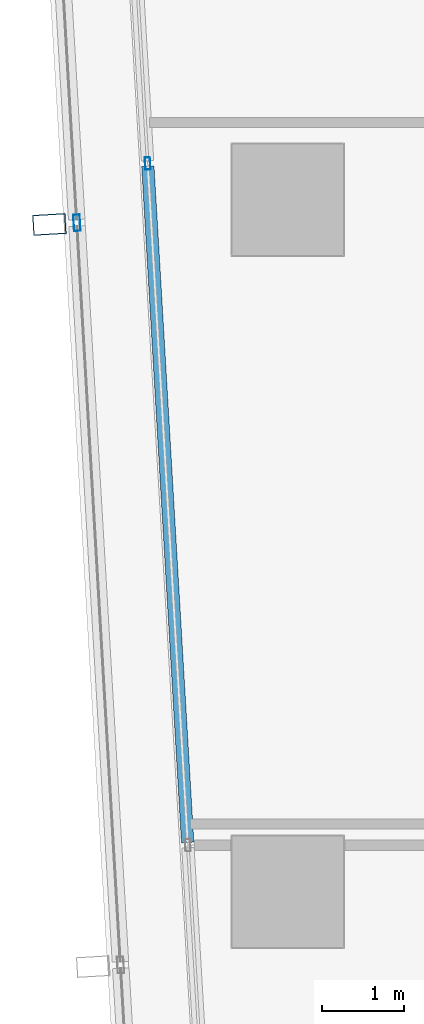
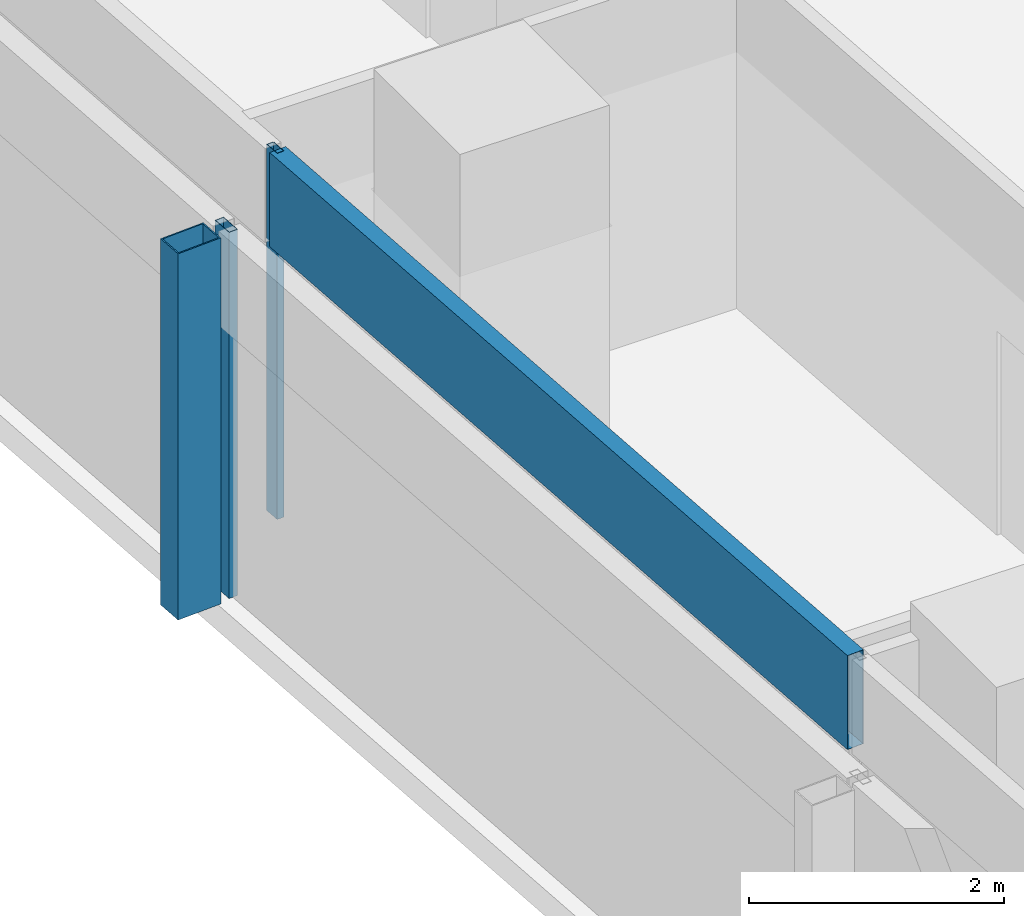
# One storey, part 8 of 39: 4 members, 2 elements without a shape of their own.
"""IFC4 building model written with IfcOpenShell, lengths in metres."""

import ifcopenshell
import ifcopenshell.guid

model = None  # the IFC model being written
_history = None  # IfcOwnerHistory: only IFC2X3 demands one
_inside = {}  # id of a spatial element -> (the spatial element, [elements in it])
_under = {}  # id of a project, library or spatial element -> (it, [spatial elements below it])
_declared = {}  # id of a project -> (the project, [libraries it declares])
_typed = {}  # id of a type object -> (the type object, [elements of that type])
_made_of = {}  # id of a material, layer set ... -> (it, [elements and type objects made of it])


def new_model(schema):
    """Start an empty IFC model of exactly this schema.

    Asked for "IFC4X3", IfcOpenShell would pick the latest addendum, in which some entities
    have other attributes; the version numbers below select the first issue.
    IFC2X3 requires an IfcOwnerHistory on every rooted entity: one is made here for all.
    """
    global model, _history
    if schema == "IFC4X3":
        model = ifcopenshell.file(schema_version=(4, 3, 0, 0))
    else:
        model = ifcopenshell.file(schema=schema)
    _inside.clear()
    _under.clear()
    _declared.clear()
    _typed.clear()
    _made_of.clear()
    _history = None
    if model.schema == "IFC2X3":
        org = make("IfcOrganization", Name="unknown")
        user = make(
            "IfcPersonAndOrganization",
            ThePerson=make("IfcPerson", FamilyName="unknown"),
            TheOrganization=org,
        )
        app = make(
            "IfcApplication",
            ApplicationDeveloper=org,
            Version="unknown",
            ApplicationFullName="unknown",
            ApplicationIdentifier="unknown",
        )
        _history = make(
            "IfcOwnerHistory",
            OwningUser=user,
            OwningApplication=app,
            ChangeAction="ADDED",
            CreationDate=0,
        )
    return model


def make(cls, **values):
    """One entity of the class cls with the attributes given. An attribute that is None is left unset."""
    return model.create_entity(
        cls, **{name: value for name, value in values.items() if value is not None}
    )


def rooted(cls, **values):
    """An entity with a GlobalId (a new one), such as an element, a storey or a relation."""
    return make(cls, GlobalId=ifcopenshell.guid.new(), OwnerHistory=_history, **values)


def si_unit(unit_type, name, prefix=None):
    """IfcSIUnit, for example si_unit("LENGTHUNIT", "METRE", prefix="MILLI")."""
    return make("IfcSIUnit", UnitType=unit_type, Prefix=prefix, Name=name)


def assignment(units):
    """IfcUnitAssignment: the units of a project."""
    return None if units is None else make("IfcUnitAssignment", Units=units)


def point(xyz):
    """IfcCartesianPoint."""
    return None if xyz is None else make("IfcCartesianPoint", Coordinates=xyz)


def direction(xyz):
    """IfcDirection."""
    return None if xyz is None else make("IfcDirection", DirectionRatios=xyz)


def frame(location, z_axis=None, x_axis=None):
    """IfcAxis2Placement3D, a coordinate frame: its origin and axes. An axis left out is left unset."""
    return make(
        "IfcAxis2Placement3D",
        Location=point(location),
        Axis=direction(z_axis),
        RefDirection=direction(x_axis),
    )


def frame_2d(location, x_axis=None):
    """IfcAxis2Placement2D, a coordinate frame in the plane: its origin and x axis."""
    return make(
        "IfcAxis2Placement2D", Location=point(location), RefDirection=direction(x_axis)
    )


def origin():
    """The frame at (0, 0, 0) with its axes left unset."""
    return frame((0.0, 0.0, 0.0))


def origin_2d():
    """The frame at (0, 0) in the plane with its x axis left unset."""
    return frame_2d((0.0, 0.0))


def place(relative_to, where):
    """IfcLocalPlacement: puts the frame where relative to a parent placement (None: the world)."""
    return make(
        "IfcLocalPlacement", PlacementRelTo=relative_to, RelativePlacement=where
    )


def context(
    kind, dimensions, precision=None, world=None, true_north=None, identifier=None
):
    """IfcGeometricRepresentationContext, for example the 3D "Model" context."""
    return make(
        "IfcGeometricRepresentationContext",
        ContextIdentifier=identifier,
        ContextType=kind,
        CoordinateSpaceDimension=dimensions,
        Precision=precision,
        WorldCoordinateSystem=world,
        TrueNorth=true_north,
    )


def subcontext(parent, identifier, kind, view, scale=None):
    """IfcGeometricRepresentationSubContext, for example "Body" below "Model"."""
    return make(
        "IfcGeometricRepresentationSubContext",
        ContextIdentifier=identifier,
        ContextType=kind,
        ParentContext=parent,
        TargetScale=scale,
        TargetView=view,
    )


def project(units=None, contexts=None):
    """IfcProject with its units and contexts."""
    return rooted(
        "IfcProject",
        Name="project",
        RepresentationContexts=contexts,
        UnitsInContext=assignment(units),
    )


def spatial(cls, under=None, at=None, **own):
    """A site, building, storey or space (cls), placed at a placement, below another one or the project."""
    s = rooted(cls, ObjectPlacement=at, **own)
    if under is not None:
        _under.setdefault(under.id(), (under, []))[1].append(s)
    return s


def profile(cls, at=None, kind="AREA", **sizes):
    """A parametric profile (cls). Its sizes go by their IFC names, for example OverallWidth=200.0."""
    return make(cls, ProfileType=kind, Position=at, **sizes)


def hollow_rectangle(**sizes):
    """IfcRectangleHollowProfileDef."""
    return profile("IfcRectangleHollowProfileDef", **sizes)


def extrude(swept, where, along, depth):
    """IfcExtrudedAreaSolid: the profile swept, set in the frame where, extruded along a direction by depth."""
    return make(
        "IfcExtrudedAreaSolid",
        SweptArea=swept,
        Position=where,
        ExtrudedDirection=direction(along),
        Depth=depth,
    )


def shape(context_of_items, identifier, shape_type, items):
    """IfcShapeRepresentation: the items that make up one representation, for example the "Body"."""
    return make(
        "IfcShapeRepresentation",
        ContextOfItems=context_of_items,
        RepresentationIdentifier=identifier,
        RepresentationType=shape_type,
        Items=items,
    )


def material(Name=None, Category=None):
    """IfcMaterial."""
    return make("IfcMaterial", Name=Name, Category=Category)


def material_profile(
    of_material, cross_section, Name=None, Category=None, Priority=None
):
    """IfcMaterialProfile: a cross section and its material."""
    return make(
        "IfcMaterialProfile",
        Name=Name,
        Material=of_material,
        Profile=cross_section,
        Priority=Priority,
        Category=Category,
    )


def profile_set(profiles, Name=None, composite=None):
    """IfcMaterialProfileSet."""
    return make(
        "IfcMaterialProfileSet",
        Name=Name,
        MaterialProfiles=profiles,
        CompositeProfile=composite,
    )


def made_of(thing, what):
    """Note that an element or type object is made of a material, layer set ...; save() writes the relation."""
    if what is not None:
        _made_of.setdefault(what.id(), (what, []))[1].append(thing)
    return thing


def type_object(cls, material=None, **own):
    """A type object (cls), such as IfcWallType, which elements share."""
    return made_of(rooted(cls, **own), material)


def element(
    cls,
    number,
    at=None,
    inside=None,
    cuts=None,
    type_object=None,
    material=None,
    context=None,
    identifier="Body",
    shape_type=None,
    held_by="IfcProductDefinitionShape",
    body=None,
    shapes=None,
    **own,
):
    """One element of the class cls, such as IfcWall. Its Tag is "e" and its number.

    at: its placement. inside: the storey or other place that contains it. cuts: it is an
    opening in that element (IfcRelVoidsElement). A single representation is given by context,
    identifier, shape_type and body (its items); several are given by shapes. held_by: the class
    of the entity that holds the representations. save() writes the other relations.
    """
    e = rooted(cls, Tag="e%d" % number, ObjectPlacement=at, **own)
    if body is not None:
        shapes = [shape(context, identifier, shape_type, body)]
    if shapes is not None:
        e.Representation = make(held_by, Representations=shapes)
    if inside is not None:
        _inside.setdefault(inside.id(), (inside, []))[1].append(e)
    if cuts is not None:
        rooted(
            "IfcRelVoidsElement", RelatingBuildingElement=cuts, RelatedOpeningElement=e
        )
    if type_object is not None:
        _typed.setdefault(type_object.id(), (type_object, []))[1].append(e)
    return made_of(e, material)


def aggregate(whole, parts):
    """IfcRelAggregates: a whole, such as a stair, and the parts it consists of."""
    return rooted("IfcRelAggregates", RelatingObject=whole, RelatedObjects=parts)


def save(model, path):
    """Write the relations noted so far, then the file.

    IfcRelAggregates (storeys below a building ...), IfcRelContainedInSpatialStructure (elements
    in a storey), IfcRelDefinesByType, IfcRelAssociatesMaterial and IfcRelDeclares: one each for
    every whole, place, type object, material and project.
    """
    for whole, parts in _under.values():
        aggregate(whole, parts)
    for where, things in _inside.values():
        rooted(
            "IfcRelContainedInSpatialStructure",
            RelatedElements=things,
            RelatingStructure=where,
        )
    for kind, things in _typed.values():
        rooted("IfcRelDefinesByType", RelatedObjects=things, RelatingType=kind)
    for what, things in _made_of.values():
        rooted("IfcRelAssociatesMaterial", RelatedObjects=things, RelatingMaterial=what)
    for by, libraries in _declared.values():
        rooted("IfcRelDeclares", RelatingContext=by, RelatedDefinitions=libraries)
    model.write(path)


model = new_model("IFC4")

# Units and contexts
model_context = context("Model", 3, precision=1e-05, world=origin(), true_north=direction((0.0, 1.0)))
body_context = subcontext(model_context, "Body", "Model", "MODEL_VIEW")
ifc_project = project(units=[si_unit("LENGTHUNIT", "METRE"), si_unit("AREAUNIT", "SQUARE_METRE"), si_unit("VOLUMEUNIT", "CUBIC_METRE"), si_unit("PLANEANGLEUNIT", "RADIAN"), si_unit("MASSUNIT", "GRAM", prefix="KILO")], contexts=[model_context])

# Site, building, storey
site_placement = place(None, origin())
site = spatial("IfcSite", under=ifc_project, at=site_placement, CompositionType="ELEMENT")
building_placement = place(site_placement, origin())
building = spatial("IfcBuilding", under=site, at=building_placement, Name="Rekha Terrace Tower", CompositionType="ELEMENT")
storey_placement = place(building_placement, frame((0.0, 0.0, 187.699951171875)))
storey = spatial("IfcBuildingStorey", under=building, at=storey_placement, Name="L47", CompositionType="ELEMENT", Elevation=187.699951171875)

# Curtain wall, member
ifc_material_1 = material(Name="Aluminium framing", Category="aluminium")
curtain_wall_type_1 = type_object("IfcCurtainWallType", Name="CW2 double skin outer glazing", PredefinedType="USERDEFINED", material=ifc_material_1)
curtain_wall_1_placement = place(storey_placement, origin())
curtain_wall_1 = element("IfcCurtainWall", 1, at=curtain_wall_1_placement, inside=storey, type_object=curtain_wall_type_1, Name="CW2 double skin outer glazing", ObjectType="DOUBLE SKIN OUTER GLAZING", PredefinedType="USERDEFINED")
ifc_material_2 = material(Name="Steel S355 with fluorocarbon finish", Category="steel")
ifc_material_profile_1 = material_profile(ifc_material_2, hollow_rectangle(XDim=0.25, YDim=0.39990234375, WallThickness=0.012451171875, at=origin_2d()), Name="RHS400x250x12.5")
ifc_profile_set_1 = profile_set([ifc_material_profile_1], Name="Steel S355 with fluorocarbon finish")
member_type_1 = type_object("IfcMemberType", Name="BL1 facade blade RHS 400 x 250", PredefinedType="USERDEFINED", material=ifc_profile_set_1)
member_1_placement = place(storey_placement, frame((5.50634765625, 33.300048828125, 0.0), z_axis=(0.0, 0.0, 1.0), x_axis=(0.058764522885, -0.998271872212, 0.0)))
member_1 = element("IfcMember", 2, at=member_1_placement, type_object=member_type_1, Name="Facade blade", ObjectType="FACADE BLADE", PredefinedType="USERDEFINED", context=body_context, shape_type="SweptSolid", body=[
    extrude(hollow_rectangle(XDim=0.25, YDim=0.39990234375, WallThickness=0.012451171875, at=origin_2d()), origin(), (0.0, 0.0, 1.0), 3.5),
])

# Curtain wall, members
curtain_wall_type_2 = type_object("IfcCurtainWallType", Name="CW1 double skin inner glazing", PredefinedType="USERDEFINED", material=ifc_material_1)
curtain_wall_2_placement = place(storey_placement, origin())
curtain_wall_2 = element("IfcCurtainWall", 3, at=curtain_wall_2_placement, inside=storey, type_object=curtain_wall_type_2, Name="CW1 double skin inner glazing", ObjectType="DOUBLE SKIN INNER GLAZING", PredefinedType="USERDEFINED")
ifc_material_3 = material(Name="Aluminium mullion section", Category="aluminium")
ifc_material_profile_2 = material_profile(ifc_material_3, hollow_rectangle(XDim=0.06494140625, YDim=0.14990234375, WallThickness=0.00390625, at=origin_2d()), Name="AL RHS 65x150")
ifc_profile_set_2 = profile_set([ifc_material_profile_2], Name="Aluminium mullion section")
member_type_2 = type_object("IfcMemberType", Name="CW1 mullion RHS 65 x 150", PredefinedType="MULLION", material=ifc_profile_set_2)
member_2_placement = place(storey_placement, frame((6.69970703125, 34.040283203125, 0.0), z_axis=(0.0, 0.0, 1.0), x_axis=(0.998271839269, 0.058765082516, 0.0)))
member_2 = element("IfcMember", 4, at=member_2_placement, type_object=member_type_2, Name="CW1 mullion 2", PredefinedType="MULLION", context=body_context, shape_type="SweptSolid", body=[
    extrude(hollow_rectangle(XDim=0.06494140625, YDim=0.14990234375, WallThickness=0.00390625, at=origin_2d()), origin(), (0.0, 0.0, 1.0), 3.5),
])
ifc_material_4 = material(Name="Insulated aluminium spandrel box", Category="aluminium")
ifc_material_profile_3 = material_profile(ifc_material_4, hollow_rectangle(XDim=0.14990234375, YDim=0.89990234375, WallThickness=0.0029296875, at=origin_2d()), Name="AL SPANDREL BOX 150x900")
ifc_profile_set_3 = profile_set([ifc_material_profile_3], Name="Insulated aluminium spandrel box")
member_type_3 = type_object("IfcMemberType", Name="CW1 spandrel transom 150 x 900", PredefinedType="USERDEFINED", material=ifc_profile_set_3)
member_3_placement = place(storey_placement, frame((6.70166015625, 34.0078125, 3.050048828125), z_axis=(0.058782934148, -0.99827078824, 0.0), x_axis=(0.99827078824, 0.058782934148, 0.0)))
member_3 = element("IfcMember", 5, at=member_3_placement, type_object=member_type_3, Name="CW1 spandrel transom 2", ObjectType="TRANSOM", PredefinedType="USERDEFINED", context=body_context, shape_type="SweptSolid", body=[
    extrude(hollow_rectangle(XDim=0.14990234375, YDim=0.89990234375, WallThickness=0.0029296875, at=origin_2d()), origin(), (0.0, 0.0, 1.0), 8.223388671875),
])
aggregate(curtain_wall_2, [member_2, member_3])

# Member
ifc_material_profile_4 = material_profile(ifc_material_3, hollow_rectangle(XDim=0.080078125, YDim=0.199951171875, WallThickness=0.00390625, at=origin_2d()), Name="AL RHS 80x200")
ifc_profile_set_4 = profile_set([ifc_material_profile_4], Name="Aluminium mullion section")
member_type_4 = type_object("IfcMemberType", Name="CW2 mullion RHS 80 x 200", PredefinedType="MULLION", material=ifc_profile_set_4)
member_4_placement = place(storey_placement, frame((5.840576171875, 33.31982421875, 0.0), z_axis=(0.0, 0.0, 1.0), x_axis=(0.99827183927, 0.058765082499, 0.0)))
member_4 = element("IfcMember", 6, at=member_4_placement, type_object=member_type_4, Name="CW2 mullion 2", PredefinedType="MULLION", context=body_context, shape_type="SweptSolid", body=[
    extrude(hollow_rectangle(XDim=0.080078125, YDim=0.199951171875, WallThickness=0.00390625, at=origin_2d()), origin(), (0.0, 0.0, 1.0), 3.5),
])

aggregate(curtain_wall_1, [member_4, member_1])

save(model, "model.ifc")
